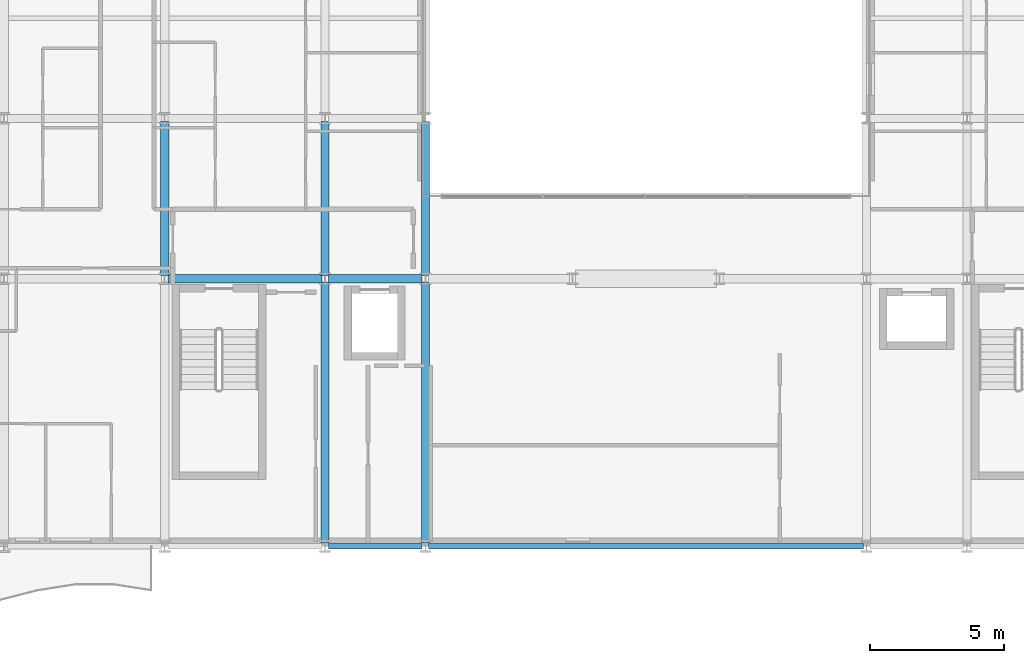
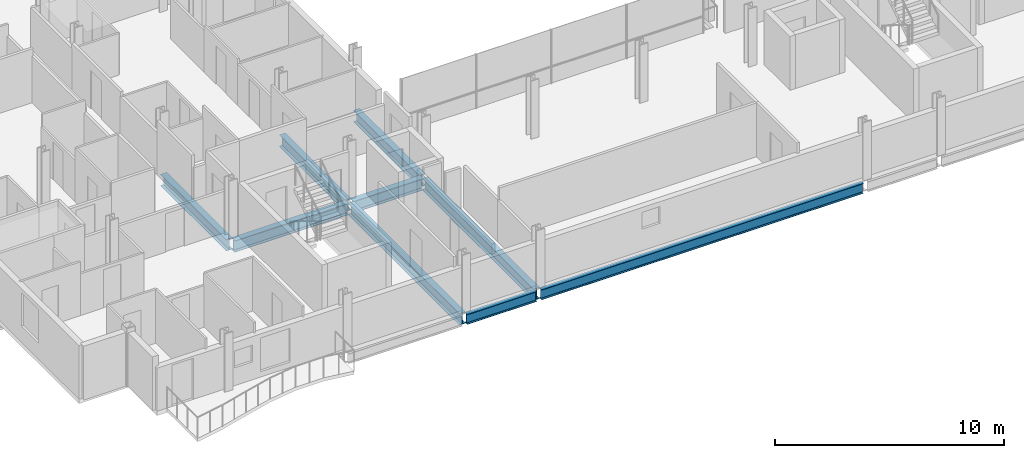
# One storey, part 3 of 41: 9 beams.
"""IFC4 building model written with IfcOpenShell, lengths in metres."""

from ifc_helpers import new_model, si_unit, direction, frame, origin, origin_2d, place, context, subcontext, project, spatial, i_section, extrude, material, material_profile, profile_set, type_object, element, save


model = new_model("IFC4")

# Units and contexts
model_context = context("Model", 3, precision=1e-05, world=origin(), true_north=direction((0.0, 1.0)))
body_context = subcontext(model_context, "Body", "Model", "MODEL_VIEW")
ifc_project = project(units=[si_unit("LENGTHUNIT", "METRE"), si_unit("AREAUNIT", "SQUARE_METRE"), si_unit("VOLUMEUNIT", "CUBIC_METRE"), si_unit("PLANEANGLEUNIT", "RADIAN"), si_unit("MASSUNIT", "GRAM", prefix="KILO")], contexts=[model_context])

# Site, building, storey
site_placement = place(None, origin())
site = spatial("IfcSite", under=ifc_project, at=site_placement, CompositionType="ELEMENT")
building_placement = place(site_placement, origin())
building = spatial("IfcBuilding", under=site, at=building_placement, Name="Brevholm Reach", CompositionType="ELEMENT")
storey_placement = place(building_placement, frame((0.0, 0.0, 74.5)))
storey = spatial("IfcBuildingStorey", under=building, at=storey_placement, Name="L21", CompositionType="ELEMENT", Elevation=74.5)

# Beams
ifc_material_1 = material(Name="Structural Steel S355J2", Category="steel")
ifc_material_profile_1 = material_profile(ifc_material_1, i_section(OverallWidth=0.210693359375, OverallDepth=0.53955078125, WebThickness=0.01171875, FlangeThickness=0.018798828125, FilletRadius=0.0126953125, at=origin_2d()), Name="UKB 533x210x109")
ifc_profile_set_1 = profile_set([ifc_material_profile_1], Name="Structural Steel S355J2")
beam_type_1 = type_object("IfcBeamType", Name="BM-SP539", PredefinedType="SPANDREL", material=ifc_profile_set_1)
beam_1_placement = place(storey_placement, frame((18.1201171875, 0.0, -0.499755859375), z_axis=(1.0, 0.0, 0.0), x_axis=(0.0, 1.0, 0.0)))
element("IfcBeam", 1, at=beam_1_placement, inside=storey, type_object=beam_type_1, Name="L21 SP-01B Framing Beam", PredefinedType="SPANDREL", context=body_context, shape_type="SweptSolid", body=[
    extrude(i_section(OverallWidth=0.210693359375, OverallDepth=0.53955078125, WebThickness=0.01171875, FlangeThickness=0.018798828125, FilletRadius=0.0126953125, at=origin_2d()), origin(), (0.0, 0.0, 1.0), 3.509765625),
])
beam_2_placement = place(storey_placement, frame((21.8701171875, 0.0, -0.499755859375), z_axis=(1.0, 0.0, 0.0), x_axis=(0.0, 1.0, 0.0)))
element("IfcBeam", 2, at=beam_2_placement, inside=storey, type_object=beam_type_1, Name="L21 SP-01B Framing Beam", PredefinedType="SPANDREL", context=body_context, shape_type="SweptSolid", body=[
    extrude(i_section(OverallWidth=0.210693359375, OverallDepth=0.53955078125, WebThickness=0.01171875, FlangeThickness=0.018798828125, FilletRadius=0.0126953125, at=origin_2d()), origin(), (0.0, 0.0, 1.0), 16.259765625),
])
ifc_material_2 = material(Name="Structural Steel S355J2", Category="steel")
ifc_material_profile_2 = material_profile(ifc_material_2, i_section(OverallWidth=0.30712890625, OverallDepth=0.6201171875, WebThickness=0.01416015625, FlangeThickness=0.023681640625, FilletRadius=0.0166015625, at=origin_2d()), Name="UKB 610x305x179")
ifc_profile_set_2 = profile_set([ifc_material_profile_2], Name="Structural Steel S355J2")
beam_type_2 = type_object("IfcBeamType", Name="BM-UKB610H", PredefinedType="USERDEFINED", material=ifc_profile_set_2)
beam_3_placement = place(storey_placement, frame((12.1201171875, 10.0, -0.5400390625), z_axis=(1.0, 0.0, 0.0), x_axis=(0.0, 1.0, 0.0)))
element("IfcBeam", 3, at=beam_3_placement, inside=storey, type_object=beam_type_2, Name="L21 G-06 Framing Beam", ObjectType="GIRDER", PredefinedType="USERDEFINED", context=body_context, shape_type="SweptSolid", body=[
    extrude(i_section(OverallWidth=0.30712890625, OverallDepth=0.6201171875, WebThickness=0.01416015625, FlangeThickness=0.023681640625, FilletRadius=0.0166015625, at=origin_2d()), origin(), (0.0, 0.0, 1.0), 5.759765625),
])
beam_4_placement = place(storey_placement, frame((18.1201171875, 10.0, -0.5400390625), z_axis=(1.0, 0.0, 0.0), x_axis=(0.0, 1.0, 0.0)))
element("IfcBeam", 4, at=beam_4_placement, inside=storey, type_object=beam_type_2, Name="L21 G-06 Framing Beam", ObjectType="GIRDER", PredefinedType="USERDEFINED", context=body_context, shape_type="SweptSolid", body=[
    extrude(i_section(OverallWidth=0.30712890625, OverallDepth=0.6201171875, WebThickness=0.01416015625, FlangeThickness=0.023681640625, FilletRadius=0.0166015625, at=origin_2d()), origin(), (0.0, 0.0, 1.0), 3.509765625),
])
beam_5_placement = place(storey_placement, frame((12.0, 10.1201171875, -0.5400390625), z_axis=(0.0, 1.0, 0.0), x_axis=(-1.0, 0.0, 0.0)))
element("IfcBeam", 5, at=beam_5_placement, inside=storey, type_object=beam_type_2, Name="L21 G-06 Framing Beam", ObjectType="GIRDER", PredefinedType="USERDEFINED", context=body_context, shape_type="SweptSolid", body=[
    extrude(i_section(OverallWidth=0.30712890625, OverallDepth=0.6201171875, WebThickness=0.01416015625, FlangeThickness=0.023681640625, FilletRadius=0.0166015625, at=origin_2d()), origin(), (0.0, 0.0, 1.0), 5.759765625),
])
beam_6_placement = place(storey_placement, frame((18.0, 0.1201171875, -0.5400390625), z_axis=(0.0, 1.0, 0.0), x_axis=(-1.0, 0.0, 0.0)))
element("IfcBeam", 6, at=beam_6_placement, inside=storey, type_object=beam_type_2, Name="L21 G-06 Framing Beam", ObjectType="GIRDER", PredefinedType="USERDEFINED", context=body_context, shape_type="SweptSolid", body=[
    extrude(i_section(OverallWidth=0.30712890625, OverallDepth=0.6201171875, WebThickness=0.01416015625, FlangeThickness=0.023681640625, FilletRadius=0.0166015625, at=origin_2d()), origin(), (0.0, 0.0, 1.0), 9.759765625),
])
beam_7_placement = place(storey_placement, frame((18.0, 10.1201171875, -0.5400390625), z_axis=(0.0, 1.0, 0.0), x_axis=(-1.0, 0.0, 0.0)))
element("IfcBeam", 7, at=beam_7_placement, inside=storey, type_object=beam_type_2, Name="L21 G-06 Framing Beam", ObjectType="GIRDER", PredefinedType="USERDEFINED", context=body_context, shape_type="SweptSolid", body=[
    extrude(i_section(OverallWidth=0.30712890625, OverallDepth=0.6201171875, WebThickness=0.01416015625, FlangeThickness=0.023681640625, FilletRadius=0.0166015625, at=origin_2d()), origin(), (0.0, 0.0, 1.0), 5.759765625),
])
beam_8_placement = place(storey_placement, frame((21.75, 0.1201171875, -0.5400390625), z_axis=(0.0, 1.0, 0.0), x_axis=(-1.0, 0.0, 0.0)))
element("IfcBeam", 8, at=beam_8_placement, inside=storey, type_object=beam_type_2, Name="L21 G-06 Framing Beam", ObjectType="GIRDER", PredefinedType="USERDEFINED", context=body_context, shape_type="SweptSolid", body=[
    extrude(i_section(OverallWidth=0.30712890625, OverallDepth=0.6201171875, WebThickness=0.01416015625, FlangeThickness=0.023681640625, FilletRadius=0.0166015625, at=origin_2d()), origin(), (0.0, 0.0, 1.0), 9.759765625),
])
beam_9_placement = place(storey_placement, frame((21.75, 10.1201171875, -0.5400390625), z_axis=(0.0, 1.0, 0.0), x_axis=(-1.0, 0.0, 0.0)))
element("IfcBeam", 9, at=beam_9_placement, inside=storey, type_object=beam_type_2, Name="L21 G-06 Framing Beam", ObjectType="GIRDER", PredefinedType="USERDEFINED", context=body_context, shape_type="SweptSolid", body=[
    extrude(i_section(OverallWidth=0.30712890625, OverallDepth=0.6201171875, WebThickness=0.01416015625, FlangeThickness=0.023681640625, FilletRadius=0.0166015625, at=origin_2d()), origin(), (0.0, 0.0, 1.0), 5.759765625),
])

save(model, "model.ifc")
